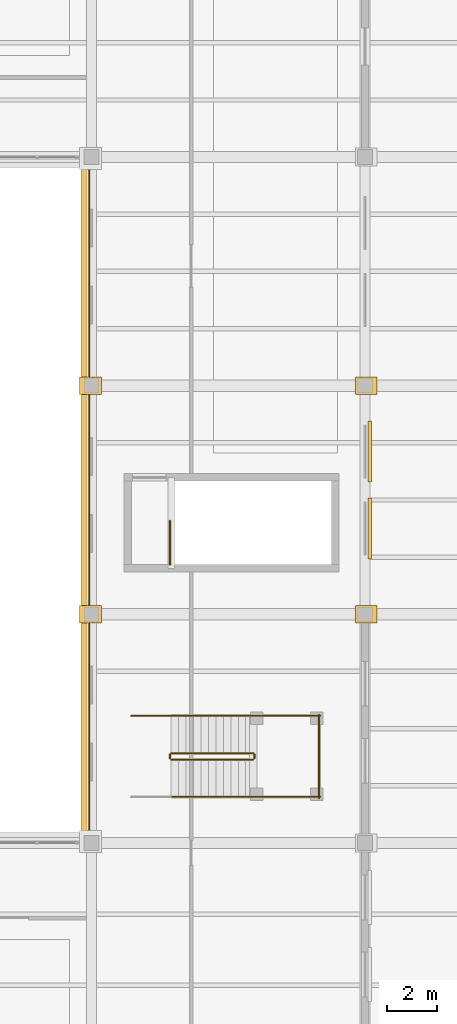
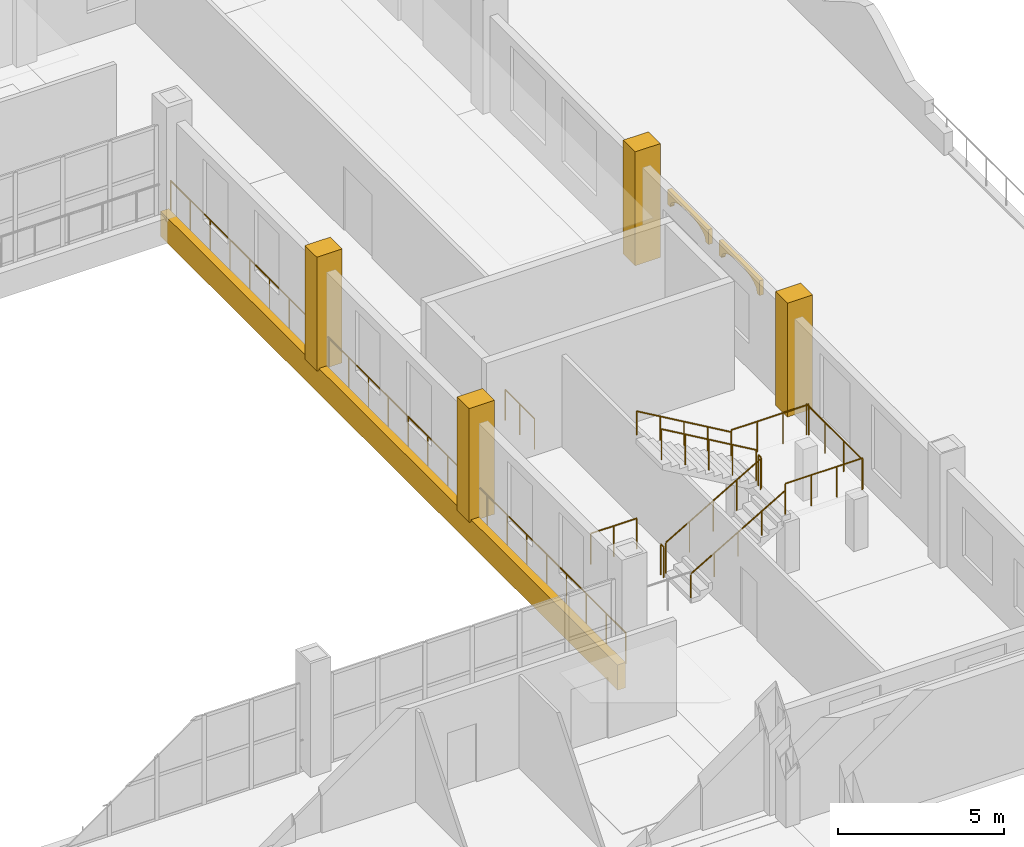
# One storey, part 116 of 120: 12 railings, 7 coverings.
"""IFC4 building model written with IfcOpenShell, lengths in metres."""

from ifc_helpers import new_model, si_unit, direction, frame, frame_2d, origin, origin_2d, place, context, subcontext, project, spatial, polyline, rectangle, circle, outline, extrude, material, layer, layer_set, type_object, element, save


model = new_model("IFC4")

# Units and contexts
model_context = context("Model", 3, precision=1e-05, world=origin(), true_north=direction((0.0, 1.0)))
body_context = subcontext(model_context, "Body", "Model", "MODEL_VIEW")
ifc_project = project(units=[si_unit("LENGTHUNIT", "METRE"), si_unit("AREAUNIT", "SQUARE_METRE"), si_unit("VOLUMEUNIT", "CUBIC_METRE"), si_unit("PLANEANGLEUNIT", "RADIAN"), si_unit("MASSUNIT", "GRAM", prefix="KILO")], contexts=[model_context])

# Site, building, storey
site_placement = place(None, origin())
site = spatial("IfcSite", under=ifc_project, at=site_placement, CompositionType="ELEMENT")
building_placement = place(site_placement, origin())
building = spatial("IfcBuilding", under=site, at=building_placement, Name="Caurita Quay Ferry Terminal", CompositionType="ELEMENT")
storey_placement = place(building_placement, frame((0.0, 0.0, 9.89990234375)))
storey = spatial("IfcBuildingStorey", under=building, at=storey_placement, Name="L02", CompositionType="ELEMENT", Elevation=9.89990234375)

# Coverings
ifc_material_1 = material(Name="Coral stone ashlar cladding", Category="masonry")
ifc_layer_1 = layer(ifc_material_1, 0.239990234375, Name="Classical coral-stone entablature and cornice moulding 240 mm")
ifc_layer_set_1 = layer_set([ifc_layer_1], Name="Coral stone ashlar cladding")
covering_type_1 = type_object("IfcCoveringType", Name="COV-ENT-MLD", PredefinedType="MOLDING", material=ifc_layer_set_1)
covering_placement = place(storey_placement, frame((65.719970703125, 107.800048828125, -0.849853515625), z_axis=(0.0, 0.0, 1.0), x_axis=(0.0, -1.0, 0.0)))
element("IfcCovering", 1, at=covering_placement, inside=storey, type_object=covering_type_1, Name="L02 Classical Entablature Cornice 026", PredefinedType="MOLDING", context=body_context, shape_type="SweptSolid", body=[
    extrude(rectangle(XDim=27.60009765625, YDim=0.280029296875, at=frame_2d((13.800048828125, 0.0))), origin(), (0.0, 0.0, 1.0), 0.929931640625),
])
ifc_material_2 = material(Name="Warm-white lime stucco masonry", Category="masonry")
ifc_layer_2 = layer(ifc_material_2, 0.179931640625, Name="Classical engaged lime-stucco facade pilaster cladding 180 mm")
ifc_layer_set_2 = layer_set([ifc_layer_2], Name="Warm-white lime stucco masonry")
covering_type_2 = type_object("IfcCoveringType", Name="COV-PIL-CLD", PredefinedType="CLADDING", material=ifc_layer_set_2)
for number, where, z_axis, x_axis, name in (
    (2, (65.949951171875, 89.39990234375, 0.0), (0.0, 0.0, 1.0), (1.0, 0.0, 0.0), "L02 Classical Engaged Pilaster 0374"),
    (3, (65.949951171875, 98.60009765625, 0.0), (0.0, 0.0, 1.0), (1.0, 0.0, 0.0), "L02 Classical Engaged Pilaster 0376"),
    (4, (77.050048828125, 89.39990234375, 0.0), (0.0, 0.0, 1.0), (1.0, 0.0, 0.0), "L02 Classical Engaged Pilaster 0388"),
    (5, (77.050048828125, 98.60009765625, 0.0), (0.0, 0.0, 1.0), (1.0, 0.0, 0.0), "L02 Classical Engaged Pilaster 0389"),
):
    element("IfcCovering", number, at=place(storey_placement, frame(where, z_axis=z_axis, x_axis=x_axis)), inside=storey, type_object=covering_type_2, Name=name, PredefinedType="CLADDING", context=body_context, shape_type="SweptSolid", body=[
        extrude(rectangle(XDim=0.8798828125, YDim=0.719970703125, at=origin_2d()), origin(), (0.0, 0.0, 1.0), 4.199951171875),
    ])
ifc_layer_3 = layer(ifc_material_1, 0.139892578125, Name="Spanish Colonial semicircular arched window surround 140 mm")
ifc_layer_set_3 = layer_set([ifc_layer_3], Name="Coral stone ashlar cladding")
covering_type_3 = type_object("IfcCoveringType", Name="COV-WHD-MLD", PredefinedType="MOLDING", material=ifc_layer_set_3)
for number, where, z_axis, x_axis, name in (
    (6, (77.199951171875, 91.6201171875, 2.72998046875), (0.0, 0.0, 1.0), (0.0, 1.0, 0.0), "L02 Arched Window Surround 093"),
    (7, (77.199951171875, 94.719970703125, 2.72998046875), (0.0, 0.0, 1.0), (0.0, 1.0, 0.0), "L02 Arched Window Surround 094"),
):
    element("IfcCovering", number, at=place(storey_placement, frame(where, z_axis=z_axis, x_axis=x_axis)), inside=storey, type_object=covering_type_3, Name=name, PredefinedType="MOLDING", context=body_context, shape_type="SweptSolid", body=[
        extrude(outline(polyline([(0.0, 0.0), (0.159912109375, 0.0), (0.159912109375, 0.0400390625), (0.21240234375, 0.1728515625), (0.3642578125, 0.292724609375), (0.60107421875, 0.387939453125), (0.8994140625, 0.448974609375), (1.22998046875, 0.469970703125), (1.560546875, 0.448974609375), (1.85888671875, 0.387939453125), (2.095703125, 0.292724609375), (2.24755859375, 0.1728515625), (2.300048828125, 0.0400390625), (2.300048828125, 0.0), (2.4599609375, 0.0), (2.4599609375, 0.550048828125), (0.0, 0.550048828125), (0.0, 0.0)])), frame((0.0, 0.06982421875, 0.0), z_axis=(0.0, -1.0, 0.0), x_axis=(1.0, 0.0, 0.0)), (0.0, 0.0, 1.0), 0.139892578125),
    ])

# Railings
ifc_material_3 = material(Name="Bronze architectural metalwork", Category="metal")
railing_type_1 = type_object("IfcRailingType", Name="RL-HND-090", PredefinedType="HANDRAIL", material=ifc_material_3)
railing_1_placement = place(storey_placement, frame((69.199951171875, 82.050048828125, 0.175048828125)))
element("IfcRailing", 8, at=railing_1_placement, inside=storey, type_object=railing_type_1, Name="L02 ST-14 stair handrail 1", PredefinedType="HANDRAIL", context=body_context, shape_type="SweptSolid", body=[
    extrude(circle(Radius=0.02392578125, at=origin_2d()), frame((0.0, 0.0, 0.8759765625), z_axis=(0.863776583165, 0.0, 0.503874998761), x_axis=(0.0, 1.0, 0.0)), (0.0, 0.0, 1.0), 3.820556640625),
    extrude(circle(Radius=0.02099609375, at=origin_2d()), origin(), (0.0, 0.0, 1.0), 0.851806640625),
    extrude(circle(Radius=0.02099609375, at=origin_2d()), frame((0.824951171875, 0.0, 0.481201171875)), (0.0, 0.0, 1.0), 0.851806640625),
    extrude(circle(Radius=0.02099609375, at=origin_2d()), frame((1.64990234375, 0.0, 0.96240234375)), (0.0, 0.0, 1.0), 0.851806640625),
    extrude(circle(Radius=0.02099609375, at=origin_2d()), frame((2.47509765625, 0.0, 1.44384765625)), (0.0, 0.0, 1.0), 0.851806640625),
    extrude(circle(Radius=0.02099609375, at=origin_2d()), frame((3.300048828125, 0.0, 1.925048828125)), (0.0, 0.0, 1.0), 0.851806640625),
])
railing_2_placement = place(storey_placement, frame((72.5, 85.31005859375, 2.275146484375)))
element("IfcRailing", 9, at=railing_2_placement, inside=storey, type_object=railing_type_1, Name="L02 ST-14 stair handrail 2", PredefinedType="HANDRAIL", context=body_context, shape_type="SweptSolid", body=[
    extrude(circle(Radius=0.02392578125, at=origin_2d()), frame((0.0, 0.0, 0.8759765625), z_axis=(-0.863776583165, 0.0, 0.503874998761), x_axis=(0.0, -1.0, 0.0)), (0.0, 0.0, 1.0), 3.820556640625),
    extrude(circle(Radius=0.02099609375, at=origin_2d()), origin(), (0.0, 0.0, 1.0), 0.851806640625),
    extrude(circle(Radius=0.02099609375, at=origin_2d()), frame((-0.824951171875, 0.0, 0.481201171875)), (0.0, 0.0, 1.0), 0.851806640625),
    extrude(circle(Radius=0.02099609375, at=origin_2d()), frame((-1.64990234375, 0.0, 0.96240234375)), (0.0, 0.0, 1.0), 0.851806640625),
    extrude(circle(Radius=0.02099609375, at=origin_2d()), frame((-2.47509765625, 0.0, 1.44384765625)), (0.0, 0.0, 1.0), 0.851806640625),
    extrude(circle(Radius=0.02099609375, at=origin_2d()), frame((-3.300048828125, 0.0, 1.925048828125)), (0.0, 0.0, 1.0), 0.851806640625),
])
railing_type_2 = type_object("IfcRailingType", Name="RL-REJA-115", PredefinedType="BALUSTRADE", material=ifc_material_3)
railing_3_placement = place(storey_placement, frame((65.89990234375, 80.25, 0.0)))
element("IfcRailing", 10, at=railing_3_placement, inside=storey, type_object=railing_type_2, Name="L02 Courtyard Cloister Guard (087)", PredefinedType="BALUSTRADE", context=body_context, shape_type="SweptSolid", body=[
    extrude(circle(Radius=0.02392578125, at=origin_2d()), frame((0.0, 0.0, 1.1259765625), z_axis=(0.0, 1.0, 0.0), x_axis=(-1.0, 0.0, 0.0)), (0.0, 0.0, 1.0), 27.5),
    extrude(circle(Radius=0.02099609375, at=origin_2d()), origin(), (0.0, 0.0, 1.0), 1.101806640625),
    extrude(circle(Radius=0.02099609375, at=origin_2d()), frame((0.0, 1.195556640625, 0.0)), (0.0, 0.0, 1.0), 1.101806640625),
    extrude(circle(Radius=0.02099609375, at=origin_2d()), frame((0.0, 2.391357421875, 0.0)), (0.0, 0.0, 1.0), 1.101806640625),
    extrude(circle(Radius=0.02099609375, at=origin_2d()), frame((0.0, 3.5869140625, 0.0)), (0.0, 0.0, 1.0), 1.101806640625),
    extrude(circle(Radius=0.02099609375, at=origin_2d()), frame((0.0, 4.78271484375, 0.0)), (0.0, 0.0, 1.0), 1.101806640625),
    extrude(circle(Radius=0.02099609375, at=origin_2d()), frame((0.0, 5.978271484375, 0.0)), (0.0, 0.0, 1.0), 1.101806640625),
    extrude(circle(Radius=0.02099609375, at=origin_2d()), frame((0.0, 7.173828125, 0.0)), (0.0, 0.0, 1.0), 1.101806640625),
    extrude(circle(Radius=0.02099609375, at=origin_2d()), frame((0.0, 8.36962890625, 0.0)), (0.0, 0.0, 1.0), 1.101806640625),
    extrude(circle(Radius=0.02099609375, at=origin_2d()), frame((0.0, 9.565185546875, 0.0)), (0.0, 0.0, 1.0), 1.101806640625),
    extrude(circle(Radius=0.02099609375, at=origin_2d()), frame((0.0, 10.760986328125, 0.0)), (0.0, 0.0, 1.0), 1.101806640625),
    extrude(circle(Radius=0.02099609375, at=origin_2d()), frame((0.0, 11.95654296875, 0.0)), (0.0, 0.0, 1.0), 1.101806640625),
    extrude(circle(Radius=0.02099609375, at=origin_2d()), frame((0.0, 13.152099609375, 0.0)), (0.0, 0.0, 1.0), 1.101806640625),
    extrude(circle(Radius=0.02099609375, at=origin_2d()), frame((0.0, 14.347900390625, 0.0)), (0.0, 0.0, 1.0), 1.101806640625),
    extrude(circle(Radius=0.02099609375, at=origin_2d()), frame((0.0, 15.54345703125, 0.0)), (0.0, 0.0, 1.0), 1.101806640625),
    extrude(circle(Radius=0.02099609375, at=origin_2d()), frame((0.0, 16.739013671875, 0.0)), (0.0, 0.0, 1.0), 1.101806640625),
    extrude(circle(Radius=0.02099609375, at=origin_2d()), frame((0.0, 17.934814453125, 0.0)), (0.0, 0.0, 1.0), 1.101806640625),
    extrude(circle(Radius=0.02099609375, at=origin_2d()), frame((0.0, 19.13037109375, 0.0)), (0.0, 0.0, 1.0), 1.101806640625),
    extrude(circle(Radius=0.02099609375, at=origin_2d()), frame((0.0, 20.326171875, 0.0)), (0.0, 0.0, 1.0), 1.101806640625),
    extrude(circle(Radius=0.02099609375, at=origin_2d()), frame((0.0, 21.521728515625, 0.0)), (0.0, 0.0, 1.0), 1.101806640625),
    extrude(circle(Radius=0.02099609375, at=origin_2d()), frame((0.0, 22.71728515625, 0.0)), (0.0, 0.0, 1.0), 1.101806640625),
    extrude(circle(Radius=0.02099609375, at=origin_2d()), frame((0.0, 23.9130859375, 0.0)), (0.0, 0.0, 1.0), 1.101806640625),
    extrude(circle(Radius=0.02099609375, at=origin_2d()), frame((0.0, 25.108642578125, 0.0)), (0.0, 0.0, 1.0), 1.101806640625),
    extrude(circle(Radius=0.02099609375, at=origin_2d()), frame((0.0, 26.304443359375, 0.0)), (0.0, 0.0, 1.0), 1.101806640625),
    extrude(circle(Radius=0.02099609375, at=origin_2d()), frame((0.0, 27.5, 0.0)), (0.0, 0.0, 1.0), 1.101806640625),
])
railing_4_placement = place(storey_placement, frame((69.14990234375, 91.39990234375, 0.0)))
element("IfcRailing", 11, at=railing_4_placement, inside=storey, type_object=railing_type_2, Name="L02 ST-04 top well guard 1", PredefinedType="BALUSTRADE", context=body_context, shape_type="SweptSolid", body=[
    extrude(circle(Radius=0.02392578125, at=origin_2d()), frame((0.0, 0.0, 1.1259765625), z_axis=(0.0, 1.0, 0.0), x_axis=(-1.0, 0.0, 0.0)), (0.0, 0.0, 1.0), 1.760009765625),
    extrude(circle(Radius=0.02099609375, at=origin_2d()), origin(), (0.0, 0.0, 1.0), 1.101806640625),
    extrude(circle(Radius=0.02099609375, at=origin_2d()), frame((0.0, 0.8798828125, 0.0)), (0.0, 0.0, 1.0), 1.101806640625),
    extrude(circle(Radius=0.02099609375, at=origin_2d()), frame((0.0, 1.760009765625, 0.0)), (0.0, 0.0, 1.0), 1.101806640625),
])
railing_5_placement = place(storey_placement, frame((69.199951171875, 83.550048828125, 0.175048828125)))
element("IfcRailing", 12, at=railing_5_placement, inside=storey, type_object=railing_type_2, Name="L02 ST-14 stair guard 1", PredefinedType="BALUSTRADE", context=body_context, shape_type="SweptSolid", body=[
    extrude(circle(Radius=0.02392578125, at=origin_2d()), frame((0.0, 0.0, 1.1259765625), z_axis=(0.863776583165, 0.0, 0.503874998761), x_axis=(0.0, 1.0, 0.0)), (0.0, 0.0, 1.0), 3.820556640625),
    extrude(circle(Radius=0.02099609375, at=origin_2d()), origin(), (0.0, 0.0, 1.0), 1.101806640625),
    extrude(circle(Radius=0.02099609375, at=origin_2d()), frame((0.824951171875, 0.0, 0.481201171875)), (0.0, 0.0, 1.0), 1.101806640625),
    extrude(circle(Radius=0.02099609375, at=origin_2d()), frame((1.64990234375, 0.0, 0.96240234375)), (0.0, 0.0, 1.0), 1.101806640625),
    extrude(circle(Radius=0.02099609375, at=origin_2d()), frame((2.47509765625, 0.0, 1.44384765625)), (0.0, 0.0, 1.0), 1.101806640625),
    extrude(circle(Radius=0.02099609375, at=origin_2d()), frame((3.300048828125, 0.0, 1.925048828125)), (0.0, 0.0, 1.0), 1.101806640625),
])
railing_6_placement = place(storey_placement, frame((72.550048828125, 83.60009765625, 2.10009765625)))
element("IfcRailing", 13, at=railing_6_placement, inside=storey, type_object=railing_type_2, Name="L02 ST-14 stair guard 2", PredefinedType="BALUSTRADE", context=body_context, shape_type="SweptSolid", body=[
    extrude(circle(Radius=0.02392578125, at=origin_2d()), frame((0.0, 0.0, 1.1259765625), z_axis=(0.0, 1.0, 0.0), x_axis=(-1.0, 0.0, 0.0)), (0.0, 0.0, 1.0), 0.159912109375),
    extrude(circle(Radius=0.02099609375, at=origin_2d()), origin(), (0.0, 0.0, 1.0), 1.101806640625),
    extrude(circle(Radius=0.02099609375, at=origin_2d()), frame((0.0, 0.159912109375, 0.0)), (0.0, 0.0, 1.0), 1.101806640625),
])
for number, where, name in (
    (14, (72.5, 82.050048828125, 2.10009765625), "L02 ST-14 stair guard 3"),
    (15, (72.5, 85.31005859375, 2.10009765625), "L02 ST-14 stair guard 4"),
):
    element("IfcRailing", number, at=place(storey_placement, frame(where)), inside=storey, type_object=railing_type_2, Name=name, PredefinedType="BALUSTRADE", context=body_context, shape_type="SweptSolid", body=[
        extrude(circle(Radius=0.02392578125, at=origin_2d()), frame((0.0, 0.0, 1.1259765625), z_axis=(1.0, 0.0, 0.0), x_axis=(0.0, 1.0, 0.0)), (0.0, 0.0, 1.0), 2.699951171875),
        extrude(circle(Radius=0.02099609375, at=origin_2d()), origin(), (0.0, 0.0, 1.0), 1.101806640625),
        extrude(circle(Radius=0.02099609375, at=origin_2d()), frame((0.89990234375, 0.0, 0.0)), (0.0, 0.0, 1.0), 1.101806640625),
        extrude(circle(Radius=0.02099609375, at=origin_2d()), frame((1.800048828125, 0.0, 0.0)), (0.0, 0.0, 1.0), 1.101806640625),
        extrude(circle(Radius=0.02099609375, at=origin_2d()), frame((2.699951171875, 0.0, 0.0)), (0.0, 0.0, 1.0), 1.101806640625),
    ])
railing_7_placement = place(storey_placement, frame((75.14990234375, 82.0, 2.10009765625)))
element("IfcRailing", 16, at=railing_7_placement, inside=storey, type_object=railing_type_2, Name="L02 ST-14 stair guard 5", PredefinedType="BALUSTRADE", context=body_context, shape_type="SweptSolid", body=[
    extrude(circle(Radius=0.02392578125, at=origin_2d()), frame((0.0, 0.0, 1.1259765625), z_axis=(0.0, 1.0, 0.0), x_axis=(-1.0, 0.0, 0.0)), (0.0, 0.0, 1.0), 3.360107421875),
    extrude(circle(Radius=0.02099609375, at=origin_2d()), origin(), (0.0, 0.0, 1.0), 1.101806640625),
    extrude(circle(Radius=0.02099609375, at=origin_2d()), frame((0.0, 1.1201171875, 0.0)), (0.0, 0.0, 1.0), 1.101806640625),
    extrude(circle(Radius=0.02099609375, at=origin_2d()), frame((0.0, 2.239990234375, 0.0)), (0.0, 0.0, 1.0), 1.101806640625),
    extrude(circle(Radius=0.02099609375, at=origin_2d()), frame((0.0, 3.360107421875, 0.0)), (0.0, 0.0, 1.0), 1.101806640625),
])
railing_8_placement = place(storey_placement, frame((72.5, 83.81005859375, 2.275146484375)))
element("IfcRailing", 17, at=railing_8_placement, inside=storey, type_object=railing_type_2, Name="L02 ST-14 stair guard 6", PredefinedType="BALUSTRADE", context=body_context, shape_type="SweptSolid", body=[
    extrude(circle(Radius=0.02392578125, at=origin_2d()), frame((0.0, 0.0, 1.1259765625), z_axis=(-0.863776583165, 0.0, 0.503874998761), x_axis=(0.0, -1.0, 0.0)), (0.0, 0.0, 1.0), 3.820556640625),
    extrude(circle(Radius=0.02099609375, at=origin_2d()), origin(), (0.0, 0.0, 1.0), 1.101806640625),
    extrude(circle(Radius=0.02099609375, at=origin_2d()), frame((-0.824951171875, 0.0, 0.481201171875)), (0.0, 0.0, 1.0), 1.101806640625),
    extrude(circle(Radius=0.02099609375, at=origin_2d()), frame((-1.64990234375, 0.0, 0.96240234375)), (0.0, 0.0, 1.0), 1.101806640625),
    extrude(circle(Radius=0.02099609375, at=origin_2d()), frame((-2.47509765625, 0.0, 1.44384765625)), (0.0, 0.0, 1.0), 1.101806640625),
    extrude(circle(Radius=0.02099609375, at=origin_2d()), frame((-3.300048828125, 0.0, 1.925048828125)), (0.0, 0.0, 1.0), 1.101806640625),
])
railing_9_placement = place(storey_placement, frame((69.14990234375, 83.60009765625, 0.0)))
element("IfcRailing", 18, at=railing_9_placement, inside=storey, type_object=railing_type_2, Name="L02 ST-14 stair guard 7", PredefinedType="BALUSTRADE", context=body_context, shape_type="SweptSolid", body=[
    extrude(circle(Radius=0.02392578125, at=origin_2d()), frame((0.0, 0.0, 1.1259765625), z_axis=(0.0, 1.0, 0.0), x_axis=(-1.0, 0.0, 0.0)), (0.0, 0.0, 1.0), 0.159912109375),
    extrude(circle(Radius=0.02099609375, at=origin_2d()), origin(), (0.0, 0.0, 1.0), 1.101806640625),
    extrude(circle(Radius=0.02099609375, at=origin_2d()), frame((0.0, 0.159912109375, 0.0)), (0.0, 0.0, 1.0), 1.101806640625),
])
railing_10_placement = place(storey_placement, frame((67.60009765625, 85.31005859375, 0.0)))
element("IfcRailing", 19, at=railing_10_placement, inside=storey, type_object=railing_type_2, Name="L02 ST-14 stair guard 9", PredefinedType="BALUSTRADE", context=body_context, shape_type="SweptSolid", body=[
    extrude(circle(Radius=0.02392578125, at=origin_2d()), frame((0.0, 0.0, 1.1259765625), z_axis=(1.0, 0.0, 0.0), x_axis=(0.0, 1.0, 0.0)), (0.0, 0.0, 1.0), 1.599853515625),
    extrude(circle(Radius=0.02099609375, at=origin_2d()), origin(), (0.0, 0.0, 1.0), 1.101806640625),
    extrude(circle(Radius=0.02099609375, at=origin_2d()), frame((0.7998046875, 0.0, 0.0)), (0.0, 0.0, 1.0), 1.101806640625),
    extrude(circle(Radius=0.02099609375, at=origin_2d()), frame((1.599853515625, 0.0, 0.0)), (0.0, 0.0, 1.0), 1.101806640625),
])

save(model, "model.ifc")
